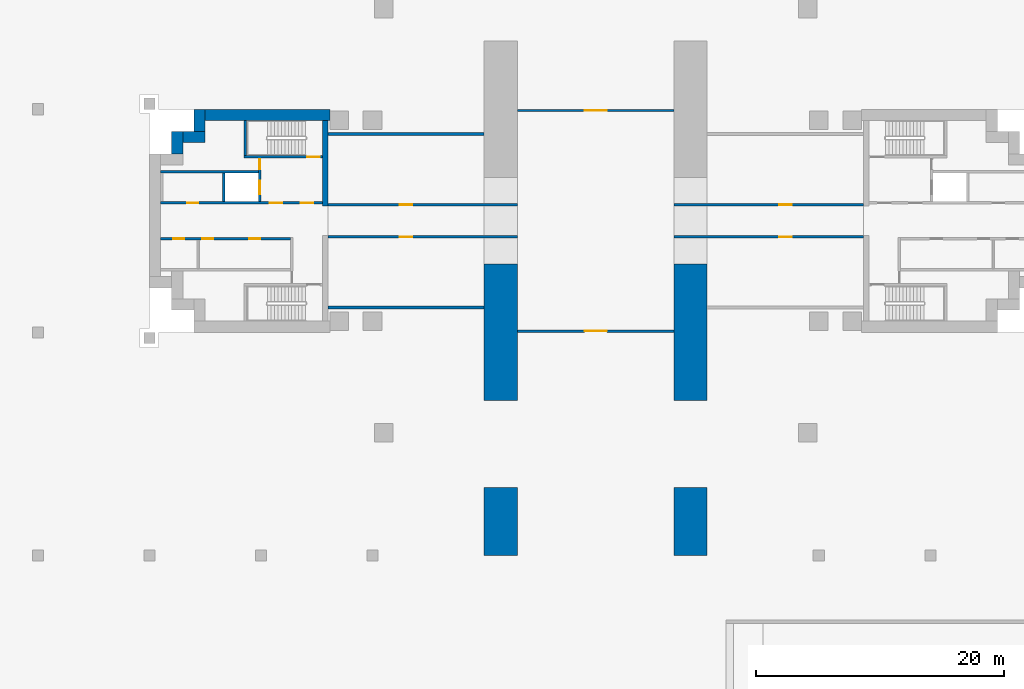
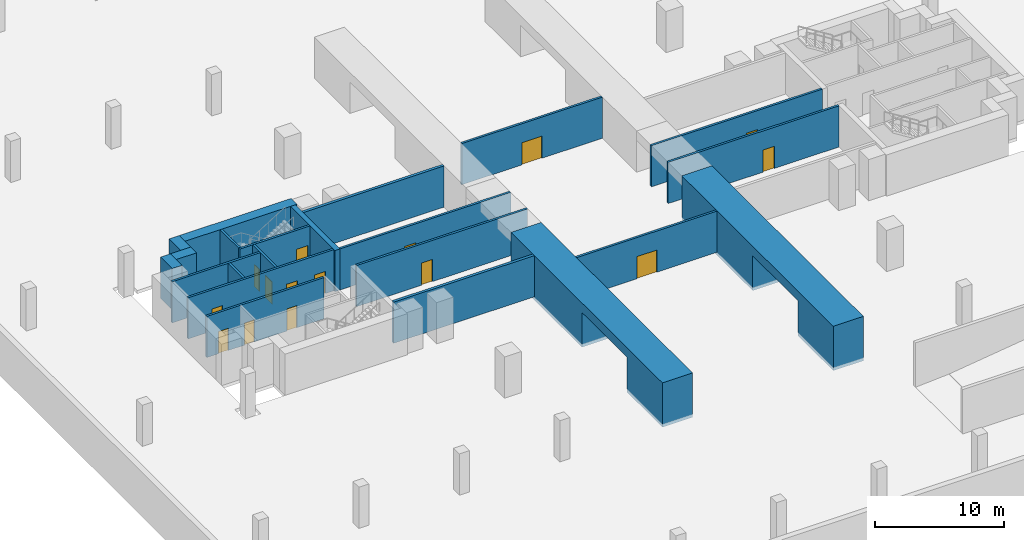
# One storey, part 4 of 8: 22 walls, 15 doors, 15 openings.
"""IFC4 building model written with IfcOpenShell, lengths in metres."""

from ifc_helpers import new_model, si_unit, direction, frame, frame_2d, origin, place, context, subcontext, project, spatial, polyline, rectangle, outline, extrude, material, layer, layer_set, material_profile, profile_set, type_object, element, fill, save


model = new_model("IFC4")

# Units and contexts
model_context = context("Model", 3, precision=1e-05, world=origin(), true_north=direction((0.0, 1.0)))
body_context = subcontext(model_context, "Body", "Model", "MODEL_VIEW")
ifc_project = project(units=[si_unit("LENGTHUNIT", "METRE"), si_unit("AREAUNIT", "SQUARE_METRE"), si_unit("VOLUMEUNIT", "CUBIC_METRE"), si_unit("PLANEANGLEUNIT", "RADIAN"), si_unit("MASSUNIT", "GRAM", prefix="KILO")], contexts=[model_context])

# Site, building, storey
site_placement = place(None, origin())
site = spatial("IfcSite", under=ifc_project, at=site_placement, CompositionType="ELEMENT")
building_placement = place(site_placement, origin())
building = spatial("IfcBuilding", under=site, at=building_placement, Name="Perihelion Cross Residences", CompositionType="ELEMENT")
storey_placement = place(building_placement, frame((0.0, 0.0, -8.699951171875)))
storey = spatial("IfcBuildingStorey", under=building, at=storey_placement, Name="B2", CompositionType="ELEMENT", Elevation=-8.699951171875)

# Walls
ifc_material_1 = material(Name="Concrete C40/50", Category="concrete")
ifc_layer_1 = layer(ifc_material_1, 0.25)
ifc_layer_set_1 = layer_set([ifc_layer_1], Name="Basement enclosure wall 250")
wall_type_1 = type_object("IfcWallType", Name="Basement enclosure wall 250", PredefinedType="SOLIDWALL", material=ifc_layer_set_1)
for number, where, z_axis, x_axis, name in (
    (1, (-9.0, 7.0, 0.0), (0.0, 0.0, 1.0), (-1.0, 0.0, 0.0), "Basement enclosure wall B2 w.encl.n"),
    (2, (-9.0, -7.0, 0.0), (0.0, 0.0, 1.0), (-1.0, 0.0, 0.0), "Basement enclosure wall B2 w.encl.s"),
):
    element("IfcWall", number, at=place(storey_placement, frame(where, z_axis=z_axis, x_axis=x_axis)), inside=storey, type_object=wall_type_1, Name=name, PredefinedType="SOLIDWALL", context=body_context, shape_type="SweptSolid", body=[
        extrude(rectangle(XDim=12.60009765625, YDim=0.25, at=frame_2d((6.300048828125, 0.0))), origin(), (0.0, 0.0, 1.0), 3.89990234375),
    ])
ifc_material_2 = material(Name="Concrete C60/75", Category="concrete")
ifc_layer_2 = layer(ifc_material_2, 0.449951171875)
ifc_layer_set_2 = layer_set([ifc_layer_2], Name="Core wall, inner 450")
wall_type_2 = type_object("IfcWallType", Name="Core wall, inner 450", PredefinedType="SHEAR", material=ifc_layer_set_2)
wall_1_placement = place(storey_placement, frame((-21.824951171875, 1.199951171875, 0.0), z_axis=(0.0, 0.0, 1.0), x_axis=(0.0, 1.0, 0.0)))
element("IfcWall", 3, at=wall_1_placement, inside=storey, type_object=wall_type_2, Name="West core core wall, inner", PredefinedType="SHEAR", context=body_context, shape_type="SweptSolid", body=[
    extrude(rectangle(XDim=6.900146484375, YDim=0.449951171875, at=frame_2d((3.4501953125, 0.0))), origin(), (0.0, 0.0, 1.0), 3.89990234375),
])
ifc_material_3 = material(Name="Concrete C60/75", Category="concrete")
ifc_layer_3 = layer(ifc_material_3, 0.89990234375)
ifc_layer_set_3 = layer_set([ifc_layer_3], Name="Core wall, outer 900")
wall_type_3 = type_object("IfcWallType", Name="Core wall, outer 900", PredefinedType="SHEAR", material=ifc_layer_set_3)
for number, where, z_axis, x_axis, name in (
    (4, (-33.75, 5.39990234375, 0.0), (0.0, 0.0, 1.0), (0.0, 1.0, 0.0), "West core core wall, outer"),
    (5, (-33.300048828125, 6.75, 0.0), (0.0, 0.0, 1.0), (1.0, 0.0, 0.0), "West core core wall, outer"),
    (6, (-31.949951171875, 7.199951171875, 0.0), (0.0, 0.0, 1.0), (0.0, 1.0, 0.0), "West core core wall, outer"),
):
    element("IfcWall", number, at=place(storey_placement, frame(where, z_axis=z_axis, x_axis=x_axis)), inside=storey, type_object=wall_type_3, Name=name, PredefinedType="SHEAR", context=body_context, shape_type="SweptSolid", body=[
        extrude(rectangle(XDim=1.800048828125, YDim=0.89990234375, at=frame_2d((0.89990234375, 0.0))), origin(), (0.0, 0.0, 1.0), 3.89990234375),
    ])
wall_2_placement = place(storey_placement, frame((-31.5, 8.550048828125, 0.0), z_axis=(0.0, 0.0, 1.0), x_axis=(1.0, 0.0, 0.0)))
element("IfcWall", 7, at=wall_2_placement, inside=storey, type_object=wall_type_3, Name="West core core wall, outer", PredefinedType="SHEAR", context=body_context, shape_type="SweptSolid", body=[
    extrude(rectangle(XDim=10.050048828125, YDim=0.89990234375, at=frame_2d((5.02490234375, 0.0))), origin(), (0.0, 0.0, 1.0), 3.89990234375),
])

# Wall, opening, door
ifc_material_4 = material(Name="Concrete block 200", Category="concrete")
ifc_layer_4 = layer(ifc_material_4, 0.199951171875)
ifc_layer_set_4 = layer_set([ifc_layer_4], Name="Parking lobby wall 200")
wall_type_4 = type_object("IfcWallType", Name="Parking lobby wall 200", PredefinedType="PARTITIONING", material=ifc_layer_set_4)
wall_3_placement = place(storey_placement, frame((6.300048828125, 1.300048828125, 0.0), z_axis=(0.0, 0.0, 1.0), x_axis=(1.0, 0.0, 0.0)))
wall_3 = element("IfcWall", 8, at=wall_3_placement, inside=storey, type_object=wall_type_4, Name="Basement partition B2 e.corr.n", PredefinedType="PARTITIONING", context=body_context, shape_type="SweptSolid", body=[
    extrude(rectangle(XDim=15.300048828125, YDim=0.199951171875, at=frame_2d((7.64990234375, 0.0))), origin(), (0.0, 0.0, 1.0), 3.89990234375),
])
opening_1_placement = place(wall_3_placement, frame((8.5, 0.0, 0.0)))
opening_1 = element("IfcOpeningElement", 9, at=opening_1_placement, cuts=wall_3, Name="Opening B2.B01", PredefinedType="OPENING", context=body_context, shape_type="SweptSolid", body=[
    extrude(rectangle(XDim=1.0, YDim=2.10009765625, at=frame_2d((0.5, 1.050048828125))), frame((0.0, 0.10986328125, 0.0), z_axis=(0.0, -1.0, 0.0), x_axis=(1.0, 0.0, 0.0)), (0.0, 0.0, 1.0), 0.219970703125),
])
ifc_material_5 = material(Name="Steel door", Category="steel")
door_type_1 = type_object("IfcDoorType", Name="Basement plant door 1000 x 2100", OperationType="SINGLE_SWING_LEFT", PredefinedType="DOOR", material=ifc_material_5)
door_1_placement = place(opening_1_placement, origin())
door_1 = element("IfcDoor", 10, at=door_1_placement, inside=storey, type_object=door_type_1, Name="Door B2 e.corr.n", OperationType="SINGLE_SWING_LEFT", OverallHeight=2.10009765625, OverallWidth=1.0, PredefinedType="DOOR", context=body_context, shape_type="SweptSolid", body=[
    extrude(rectangle(XDim=1.0, YDim=2.10009765625, at=frame_2d((0.5, 1.050048828125))), frame((0.0, 0.02490234375, 0.0), z_axis=(0.0, -1.0, 0.0), x_axis=(1.0, 0.0, 0.0)), (0.0, 0.0, 1.0), 0.050048828125),
])
fill(opening_1, door_1)

wall_4_placement = place(storey_placement, frame((6.300048828125, -1.300048828125, 0.0), z_axis=(0.0, 0.0, 1.0), x_axis=(1.0, 0.0, 0.0)))
wall_4 = element("IfcWall", 11, at=wall_4_placement, inside=storey, type_object=wall_type_4, Name="Basement partition B2 e.corr.s", PredefinedType="PARTITIONING", context=body_context, shape_type="SweptSolid", body=[
    extrude(rectangle(XDim=15.300048828125, YDim=0.199951171875, at=frame_2d((7.64990234375, 0.0))), origin(), (0.0, 0.0, 1.0), 3.89990234375),
])
opening_2_placement = place(wall_4_placement, frame((8.5, 0.0, 0.0)))
opening_2 = element("IfcOpeningElement", 12, at=opening_2_placement, cuts=wall_4, Name="Opening B2.B02", PredefinedType="OPENING", context=body_context, shape_type="SweptSolid", body=[
    extrude(rectangle(XDim=1.0, YDim=2.10009765625, at=frame_2d((0.5, 1.050048828125))), frame((0.0, 0.10986328125, 0.0), z_axis=(0.0, -1.0, 0.0), x_axis=(1.0, 0.0, 0.0)), (0.0, 0.0, 1.0), 0.219970703125),
])
door_2_placement = place(opening_2_placement, origin())
door_2 = element("IfcDoor", 13, at=door_2_placement, inside=storey, type_object=door_type_1, Name="Door B2 e.corr.s", OperationType="SINGLE_SWING_LEFT", OverallHeight=2.10009765625, OverallWidth=1.0, PredefinedType="DOOR", context=body_context, shape_type="SweptSolid", body=[
    extrude(rectangle(XDim=1.0, YDim=2.10009765625, at=frame_2d((0.5, 1.050048828125))), frame((0.0, 0.02490234375, 0.0), z_axis=(0.0, -1.0, 0.0), x_axis=(1.0, 0.0, 0.0)), (0.0, 0.0, 1.0), 0.050048828125),
])
fill(opening_2, door_2)

wall_5_placement = place(storey_placement, frame((-6.300048828125, 1.300048828125, 0.0), z_axis=(0.0, 0.0, 1.0), x_axis=(-1.0, 0.0, 0.0)))
wall_5 = element("IfcWall", 14, at=wall_5_placement, inside=storey, type_object=wall_type_4, Name="Basement partition B2 w.corr.n", PredefinedType="PARTITIONING", context=body_context, shape_type="SweptSolid", body=[
    extrude(rectangle(XDim=15.300048828125, YDim=0.199951171875, at=frame_2d((7.64990234375, 0.0))), origin(), (0.0, 0.0, 1.0), 3.89990234375),
])
opening_3_placement = place(wall_5_placement, frame((8.5, 0.0, 0.0)))
opening_3 = element("IfcOpeningElement", 15, at=opening_3_placement, cuts=wall_5, Name="Opening B2.B03", PredefinedType="OPENING", context=body_context, shape_type="SweptSolid", body=[
    extrude(rectangle(XDim=1.0, YDim=2.10009765625, at=frame_2d((0.5, 1.050048828125))), frame((0.0, 0.10986328125, 0.0), z_axis=(0.0, -1.0, 0.0), x_axis=(1.0, 0.0, 0.0)), (0.0, 0.0, 1.0), 0.219970703125),
])
door_3_placement = place(opening_3_placement, origin())
door_3 = element("IfcDoor", 16, at=door_3_placement, inside=storey, type_object=door_type_1, Name="Door B2 w.corr.n", OperationType="SINGLE_SWING_LEFT", OverallHeight=2.10009765625, OverallWidth=1.0, PredefinedType="DOOR", context=body_context, shape_type="SweptSolid", body=[
    extrude(rectangle(XDim=1.0, YDim=2.10009765625, at=frame_2d((0.5, 1.050048828125))), frame((0.0, 0.02490234375, 0.0), z_axis=(0.0, -1.0, 0.0), x_axis=(1.0, 0.0, 0.0)), (0.0, 0.0, 1.0), 0.050048828125),
])
fill(opening_3, door_3)

wall_6_placement = place(storey_placement, frame((-6.300048828125, -1.300048828125, 0.0), z_axis=(0.0, 0.0, 1.0), x_axis=(-1.0, 0.0, 0.0)))
wall_6 = element("IfcWall", 17, at=wall_6_placement, inside=storey, type_object=wall_type_4, Name="Basement partition B2 w.corr.s", PredefinedType="PARTITIONING", context=body_context, shape_type="SweptSolid", body=[
    extrude(rectangle(XDim=15.300048828125, YDim=0.199951171875, at=frame_2d((7.64990234375, 0.0))), origin(), (0.0, 0.0, 1.0), 3.89990234375),
])
opening_4_placement = place(wall_6_placement, frame((8.5, 0.0, 0.0)))
opening_4 = element("IfcOpeningElement", 18, at=opening_4_placement, cuts=wall_6, Name="Opening B2.B04", PredefinedType="OPENING", context=body_context, shape_type="SweptSolid", body=[
    extrude(rectangle(XDim=1.0, YDim=2.10009765625, at=frame_2d((0.5, 1.050048828125))), frame((0.0, 0.10986328125, 0.0), z_axis=(0.0, -1.0, 0.0), x_axis=(1.0, 0.0, 0.0)), (0.0, 0.0, 1.0), 0.219970703125),
])
door_4_placement = place(opening_4_placement, origin())
door_4 = element("IfcDoor", 19, at=door_4_placement, inside=storey, type_object=door_type_1, Name="Door B2 w.corr.s", OperationType="SINGLE_SWING_LEFT", OverallHeight=2.10009765625, OverallWidth=1.0, PredefinedType="DOOR", context=body_context, shape_type="SweptSolid", body=[
    extrude(rectangle(XDim=1.0, YDim=2.10009765625, at=frame_2d((0.5, 1.050048828125))), frame((0.0, 0.02490234375, 0.0), z_axis=(0.0, -1.0, 0.0), x_axis=(1.0, 0.0, 0.0)), (0.0, 0.0, 1.0), 0.050048828125),
])
fill(opening_4, door_4)

wall_7_placement = place(storey_placement, frame((-6.300048828125, 8.89990234375, 0.0), z_axis=(0.0, 0.0, 1.0), x_axis=(1.0, 0.0, 0.0)))
wall_7 = element("IfcWall", 20, at=wall_7_placement, inside=storey, type_object=wall_type_4, Name="Basement partition B2 hub.n", PredefinedType="PARTITIONING", context=body_context, shape_type="SweptSolid", body=[
    extrude(rectangle(XDim=12.60009765625, YDim=0.199951171875, at=frame_2d((6.300048828125, 0.0))), origin(), (0.0, 0.0, 1.0), 3.89990234375),
])
opening_5_placement = place(wall_7_placement, frame((5.39990234375, 0.0, 0.0)))
opening_5 = element("IfcOpeningElement", 21, at=opening_5_placement, cuts=wall_7, Name="Opening B2.B05", PredefinedType="OPENING", context=body_context, shape_type="SweptSolid", body=[
    extrude(rectangle(XDim=1.800048828125, YDim=2.10009765625, at=frame_2d((0.89990234375, 1.050048828125))), frame((0.0, 0.10986328125, 0.0), z_axis=(0.0, -1.0, 0.0), x_axis=(1.0, 0.0, 0.0)), (0.0, 0.0, 1.0), 0.219970703125),
])
ifc_material_6 = material(Name="Steel door", Category="steel")
door_type_2 = type_object("IfcDoorType", Name="Lobby door 1800 x 2100", OperationType="DOUBLE_DOOR_SINGLE_SWING", PredefinedType="DOOR", material=ifc_material_6)
door_5_placement = place(opening_5_placement, origin())
door_5 = element("IfcDoor", 22, at=door_5_placement, inside=storey, type_object=door_type_2, Name="Door B2 hub.n", OperationType="SINGLE_SWING_LEFT", OverallHeight=2.10009765625, OverallWidth=1.800048828125, PredefinedType="DOOR", context=body_context, shape_type="SweptSolid", body=[
    extrude(rectangle(XDim=1.800048828125, YDim=2.10009765625, at=frame_2d((0.89990234375, 1.050048828125))), frame((0.0, 0.02490234375, 0.0), z_axis=(0.0, -1.0, 0.0), x_axis=(1.0, 0.0, 0.0)), (0.0, 0.0, 1.0), 0.050048828125),
])
fill(opening_5, door_5)

wall_8_placement = place(storey_placement, frame((-6.300048828125, -8.89990234375, 0.0), z_axis=(0.0, 0.0, 1.0), x_axis=(1.0, 0.0, 0.0)))
wall_8 = element("IfcWall", 23, at=wall_8_placement, inside=storey, type_object=wall_type_4, Name="Basement partition B2 hub.s", PredefinedType="PARTITIONING", context=body_context, shape_type="SweptSolid", body=[
    extrude(rectangle(XDim=12.60009765625, YDim=0.199951171875, at=frame_2d((6.300048828125, 0.0))), origin(), (0.0, 0.0, 1.0), 3.89990234375),
])
opening_6_placement = place(wall_8_placement, frame((5.39990234375, 0.0, 0.0)))
opening_6 = element("IfcOpeningElement", 24, at=opening_6_placement, cuts=wall_8, Name="Opening B2.B06", PredefinedType="OPENING", context=body_context, shape_type="SweptSolid", body=[
    extrude(rectangle(XDim=1.800048828125, YDim=2.10009765625, at=frame_2d((0.89990234375, 1.050048828125))), frame((0.0, 0.10986328125, 0.0), z_axis=(0.0, -1.0, 0.0), x_axis=(1.0, 0.0, 0.0)), (0.0, 0.0, 1.0), 0.219970703125),
])
door_6_placement = place(opening_6_placement, origin())
door_6 = element("IfcDoor", 25, at=door_6_placement, inside=storey, type_object=door_type_2, Name="Door B2 hub.s", OperationType="SINGLE_SWING_LEFT", OverallHeight=2.10009765625, OverallWidth=1.800048828125, PredefinedType="DOOR", context=body_context, shape_type="SweptSolid", body=[
    extrude(rectangle(XDim=1.800048828125, YDim=2.10009765625, at=frame_2d((0.89990234375, 1.050048828125))), frame((0.0, 0.02490234375, 0.0), z_axis=(0.0, -1.0, 0.0), x_axis=(1.0, 0.0, 0.0)), (0.0, 0.0, 1.0), 0.050048828125),
])
fill(opening_6, door_6)

# Walls
ifc_material_7 = material(Name="Concrete C60/75", Category="concrete")
ifc_material_profile = material_profile(ifc_material_7, outline(polyline([(0.0, 0.0), (5.5, 0.0), (5.5, 3.300048828125), (12.5, 3.300048828125), (12.5, 0.0), (23.5, 0.0), (23.5, 4.199951171875), (0.0, 4.199951171875), (0.0, 0.0)])), Name="Pier wall")
ifc_profile_set = profile_set([ifc_material_profile], Name="Concrete C60/75")
wall_type_5 = type_object("IfcWallType", Name="Pier wall 2700 with 1 lane openings 23500 long 4200 high concrete C60/75 hand A", PredefinedType="SOLIDWALL", material=ifc_profile_set)
for number, where, z_axis, x_axis, name in (
    (26, (6.300048828125, -27.0, -0.300048828125), (1.0, 0.0, 0.0), (0.0, 1.0, 0.0), "Shear wall SW7 B2 pier east south"),
    (27, (-9.0, -27.0, -0.300048828125), (1.0, 0.0, 0.0), (0.0, 1.0, 0.0), "Shear wall SW7 B2 pier west south"),
):
    element("IfcWall", number, at=place(storey_placement, frame(where, z_axis=z_axis, x_axis=x_axis)), inside=storey, type_object=wall_type_5, Name=name, PredefinedType="SOLIDWALL", context=body_context, shape_type="SweptSolid", body=[
        extrude(outline(polyline([(0.0, 0.0), (5.5, 0.0), (5.5, 3.300048828125), (12.5, 3.300048828125), (12.5, 0.0), (23.5, 0.0), (23.5, 4.199951171875), (0.0, 4.199951171875), (0.0, 0.0)])), origin(), (0.0, 0.0, 1.0), 2.699951171875),
    ])

# Wall, openings, doors
ifc_material_8 = material(Name="Concrete C50/60", Category="concrete")
ifc_layer_5 = layer(ifc_material_8, 0.199951171875)
ifc_layer_set_5 = layer_set([ifc_layer_5], Name="Shaft wall 200")
wall_type_6 = type_object("IfcWallType", Name="Shaft wall 200", PredefinedType="SOLIDWALL", material=ifc_layer_set_5)
wall_9_placement = place(storey_placement, frame((-35.10009765625, 1.449951171875, 0.0), z_axis=(0.0, 0.0, 1.0), x_axis=(1.0, 0.0, 0.0)))
wall_9 = element("IfcWall", 28, at=wall_9_placement, inside=storey, type_object=wall_type_6, Name="West core shaft wall", PredefinedType="SOLIDWALL", context=body_context, shape_type="SweptSolid", body=[
    extrude(rectangle(XDim=13.050048828125, YDim=0.199951171875, at=frame_2d((6.52490234375, 0.0))), origin(), (0.0, 0.0, 1.0), 3.89990234375),
])
opening_7_placement = place(wall_9_placement, frame((11.300048828125, 0.0, 0.0)))
opening_7 = element("IfcOpeningElement", 29, at=opening_7_placement, cuts=wall_9, Name="Opening B2.C15", PredefinedType="OPENING", context=body_context, shape_type="SweptSolid", body=[
    extrude(rectangle(XDim=1.0, YDim=2.10009765625, at=frame_2d((0.5, 1.050048828125))), frame((0.0, 0.10986328125, 0.0), z_axis=(0.0, -1.0, 0.0), x_axis=(1.0, 0.0, 0.0)), (0.0, 0.0, 1.0), 0.219970703125),
])
opening_8_placement = place(wall_9_placement, frame((8.800048828125, 0.0, 0.0)))
opening_8 = element("IfcOpeningElement", 30, at=opening_8_placement, cuts=wall_9, Name="Opening B2.C17", PredefinedType="OPENING", context=body_context, shape_type="SweptSolid", body=[
    extrude(rectangle(XDim=1.0, YDim=2.10009765625, at=frame_2d((0.5, 1.050048828125))), frame((0.0, 0.10986328125, 0.0), z_axis=(0.0, -1.0, 0.0), x_axis=(1.0, 0.0, 0.0)), (0.0, 0.0, 1.0), 0.219970703125),
])
opening_9_placement = place(wall_9_placement, frame((2.14990234375, 0.0, 0.0)))
opening_9 = element("IfcOpeningElement", 31, at=opening_9_placement, cuts=wall_9, Name="Opening B2.C21", PredefinedType="OPENING", context=body_context, shape_type="SweptSolid", body=[
    extrude(rectangle(XDim=0.89990234375, YDim=2.10009765625, at=frame_2d((0.449951171875, 1.050048828125))), frame((0.0, 0.10986328125, 0.0), z_axis=(0.0, -1.0, 0.0), x_axis=(1.0, 0.0, 0.0)), (0.0, 0.0, 1.0), 0.219970703125),
])
ifc_material_9 = material(Name="Steel, powder coated", Category="steel")
door_type_3 = type_object("IfcDoorType", Name="Lobby door 1000", OperationType="SINGLE_SWING_LEFT", PredefinedType="DOOR", material=ifc_material_9)
door_7_placement = place(opening_7_placement, origin())
door_7 = element("IfcDoor", 32, at=door_7_placement, inside=storey, type_object=door_type_3, Name="West core firefighting lobby door", OperationType="SINGLE_SWING_LEFT", OverallHeight=2.10009765625, OverallWidth=1.0, PredefinedType="DOOR", context=body_context, shape_type="SweptSolid", body=[
    extrude(rectangle(XDim=1.0, YDim=2.10009765625, at=frame_2d((0.5, 1.050048828125))), frame((0.0, 0.02490234375, 0.0), z_axis=(0.0, -1.0, 0.0), x_axis=(1.0, 0.0, 0.0)), (0.0, 0.0, 1.0), 0.050048828125),
])
fill(opening_7, door_7)
door_8_placement = place(opening_8_placement, origin())
door_8 = element("IfcDoor", 33, at=door_8_placement, inside=storey, type_object=door_type_3, Name="West core firefighting lobby door", OperationType="SINGLE_SWING_LEFT", OverallHeight=2.10009765625, OverallWidth=1.0, PredefinedType="DOOR", context=body_context, shape_type="SweptSolid", body=[
    extrude(rectangle(XDim=1.0, YDim=2.10009765625, at=frame_2d((0.5, 1.050048828125))), frame((0.0, 0.02490234375, 0.0), z_axis=(0.0, -1.0, 0.0), x_axis=(1.0, 0.0, 0.0)), (0.0, 0.0, 1.0), 0.050048828125),
])
fill(opening_8, door_8)
ifc_material_10 = material(Name="Steel, powder coated", Category="steel")
door_type_4 = type_object("IfcDoorType", Name="Service room door 900", OperationType="SINGLE_SWING_LEFT", PredefinedType="DOOR", material=ifc_material_10)
door_9_placement = place(opening_9_placement, origin())
door_9 = element("IfcDoor", 34, at=door_9_placement, inside=storey, type_object=door_type_4, Name="West core service room door", OperationType="SINGLE_SWING_LEFT", OverallHeight=2.10009765625, OverallWidth=0.89990234375, PredefinedType="DOOR", context=body_context, shape_type="SweptSolid", body=[
    extrude(rectangle(XDim=0.89990234375, YDim=2.10009765625, at=frame_2d((0.449951171875, 1.050048828125))), frame((0.0, 0.02490234375, 0.0), z_axis=(0.0, -1.0, 0.0), x_axis=(1.0, 0.0, 0.0)), (0.0, 0.0, 1.0), 0.050048828125),
])
fill(opening_9, door_9)

wall_10_placement = place(storey_placement, frame((-35.10009765625, -1.449951171875, 0.0), z_axis=(0.0, 0.0, 1.0), x_axis=(1.0, 0.0, 0.0)))
wall_10 = element("IfcWall", 35, at=wall_10_placement, inside=storey, type_object=wall_type_6, Name="West core shaft wall", PredefinedType="SOLIDWALL", context=body_context, shape_type="SweptSolid", body=[
    extrude(rectangle(XDim=10.5, YDim=0.199951171875, at=frame_2d((5.25, 0.0))), origin(), (0.0, 0.0, 1.0), 3.89990234375),
])
opening_10_placement = place(wall_10_placement, frame((7.14990234375, 0.0, 0.0)))
opening_10 = element("IfcOpeningElement", 36, at=opening_10_placement, cuts=wall_10, Name="Opening B2.C19", PredefinedType="OPENING", context=body_context, shape_type="SweptSolid", body=[
    extrude(rectangle(XDim=0.89990234375, YDim=2.10009765625, at=frame_2d((0.449951171875, 1.050048828125))), frame((0.0, 0.10986328125, 0.0), z_axis=(0.0, -1.0, 0.0), x_axis=(1.0, 0.0, 0.0)), (0.0, 0.0, 1.0), 0.219970703125),
])
opening_11_placement = place(wall_10_placement, frame((3.35009765625, 0.0, 0.0)))
opening_11 = element("IfcOpeningElement", 37, at=opening_11_placement, cuts=wall_10, Name="Opening B2.C20", PredefinedType="OPENING", context=body_context, shape_type="SweptSolid", body=[
    extrude(rectangle(XDim=0.89990234375, YDim=2.10009765625, at=frame_2d((0.449951171875, 1.050048828125))), frame((0.0, 0.10986328125, 0.0), z_axis=(0.0, -1.0, 0.0), x_axis=(1.0, 0.0, 0.0)), (0.0, 0.0, 1.0), 0.219970703125),
])
opening_12_placement = place(wall_10_placement, frame((1.02490234375, 0.0, 0.0)))
opening_12 = element("IfcOpeningElement", 38, at=opening_12_placement, cuts=wall_10, Name="Opening B2.C22", PredefinedType="OPENING", context=body_context, shape_type="SweptSolid", body=[
    extrude(rectangle(XDim=0.89990234375, YDim=2.10009765625, at=frame_2d((0.449951171875, 1.050048828125))), frame((0.0, 0.10986328125, 0.0), z_axis=(0.0, -1.0, 0.0), x_axis=(1.0, 0.0, 0.0)), (0.0, 0.0, 1.0), 0.219970703125),
])
door_10_placement = place(opening_10_placement, origin())
door_10 = element("IfcDoor", 39, at=door_10_placement, inside=storey, type_object=door_type_4, Name="West core service room door", OperationType="SINGLE_SWING_LEFT", OverallHeight=2.10009765625, OverallWidth=0.89990234375, PredefinedType="DOOR", context=body_context, shape_type="SweptSolid", body=[
    extrude(rectangle(XDim=0.89990234375, YDim=2.10009765625, at=frame_2d((0.449951171875, 1.050048828125))), frame((0.0, 0.02490234375, 0.0), z_axis=(0.0, -1.0, 0.0), x_axis=(1.0, 0.0, 0.0)), (0.0, 0.0, 1.0), 0.050048828125),
])
fill(opening_10, door_10)
door_11_placement = place(opening_11_placement, origin())
door_11 = element("IfcDoor", 40, at=door_11_placement, inside=storey, type_object=door_type_4, Name="West core service room door", OperationType="SINGLE_SWING_LEFT", OverallHeight=2.10009765625, OverallWidth=0.89990234375, PredefinedType="DOOR", context=body_context, shape_type="SweptSolid", body=[
    extrude(rectangle(XDim=0.89990234375, YDim=2.10009765625, at=frame_2d((0.449951171875, 1.050048828125))), frame((0.0, 0.02490234375, 0.0), z_axis=(0.0, -1.0, 0.0), x_axis=(1.0, 0.0, 0.0)), (0.0, 0.0, 1.0), 0.050048828125),
])
fill(opening_11, door_11)
door_12_placement = place(opening_12_placement, origin())
door_12 = element("IfcDoor", 41, at=door_12_placement, inside=storey, type_object=door_type_4, Name="West core service room door", OperationType="SINGLE_SWING_LEFT", OverallHeight=2.10009765625, OverallWidth=0.89990234375, PredefinedType="DOOR", context=body_context, shape_type="SweptSolid", body=[
    extrude(rectangle(XDim=0.89990234375, YDim=2.10009765625, at=frame_2d((0.449951171875, 1.050048828125))), frame((0.0, 0.02490234375, 0.0), z_axis=(0.0, -1.0, 0.0), x_axis=(1.0, 0.0, 0.0)), (0.0, 0.0, 1.0), 0.050048828125),
])
fill(opening_12, door_12)

# Wall
wall_11_placement = place(storey_placement, frame((-35.10009765625, 3.949951171875, 0.0), z_axis=(0.0, 0.0, 1.0), x_axis=(1.0, 0.0, 0.0)))
element("IfcWall", 42, at=wall_11_placement, inside=storey, type_object=wall_type_6, Name="West core shaft wall", PredefinedType="SOLIDWALL", context=body_context, shape_type="SweptSolid", body=[
    extrude(rectangle(XDim=7.900146484375, YDim=0.199951171875, at=frame_2d((3.9501953125, 0.0))), origin(), (0.0, 0.0, 1.0), 3.89990234375),
])

# Wall, openings, doors
wall_12_placement = place(storey_placement, frame((-27.10009765625, 1.550048828125, 0.0), z_axis=(0.0, 0.0, 1.0), x_axis=(0.0, 1.0, 0.0)))
wall_12 = element("IfcWall", 43, at=wall_12_placement, inside=storey, type_object=wall_type_6, Name="West core shaft wall", PredefinedType="SOLIDWALL", context=body_context, shape_type="SweptSolid", body=[
    extrude(rectangle(XDim=3.5, YDim=0.199951171875, at=frame_2d((1.75, 0.0))), origin(), (0.0, 0.0, 1.0), 3.89990234375),
])
opening_13_placement = place(wall_12_placement, frame((0.60009765625, 0.0, 0.0)))
opening_13 = element("IfcOpeningElement", 44, at=opening_13_placement, cuts=wall_12, Name="Opening B2.C12", PredefinedType="OPENING", context=body_context, shape_type="SweptSolid", body=[
    extrude(rectangle(XDim=1.10009765625, YDim=2.10009765625, at=frame_2d((0.550048828125, 1.050048828125))), frame((0.0, 0.10986328125, 0.0), z_axis=(0.0, -1.0, 0.0), x_axis=(1.0, 0.0, 0.0)), (0.0, 0.0, 1.0), 0.219970703125),
])
opening_14_placement = place(wall_12_placement, frame((2.60009765625, 0.0, 0.0)))
opening_14 = element("IfcOpeningElement", 45, at=opening_14_placement, cuts=wall_12, Name="Opening B2.C18", PredefinedType="OPENING", context=body_context, shape_type="SweptSolid", body=[
    extrude(rectangle(XDim=0.800048828125, YDim=2.10009765625, at=frame_2d((0.39990234375, 1.050048828125))), frame((0.0, 0.10986328125, 0.0), z_axis=(0.0, -1.0, 0.0), x_axis=(1.0, 0.0, 0.0)), (0.0, 0.0, 1.0), 0.219970703125),
])
ifc_material_11 = material(Name="Stainless steel", Category="steel")
door_type_5 = type_object("IfcDoorType", Name="Landing door, firefighting lift 1100", OperationType="DOUBLE_DOOR_SLIDING", PredefinedType="DOOR", material=ifc_material_11)
door_13_placement = place(opening_13_placement, origin())
door_13 = element("IfcDoor", 46, at=door_13_placement, inside=storey, type_object=door_type_5, Name="Landing door, West core firefighting and service lift", OperationType="DOUBLE_DOOR_SLIDING", OverallHeight=2.10009765625, OverallWidth=1.10009765625, PredefinedType="DOOR", context=body_context, shape_type="SweptSolid", body=[
    extrude(rectangle(XDim=1.10009765625, YDim=2.10009765625, at=frame_2d((0.550048828125, 1.050048828125))), frame((0.0, 0.02490234375, 0.0), z_axis=(0.0, -1.0, 0.0), x_axis=(1.0, 0.0, 0.0)), (0.0, 0.0, 1.0), 0.050048828125),
])
fill(opening_13, door_13)
ifc_material_12 = material(Name="Steel, powder coated", Category="steel")
door_type_6 = type_object("IfcDoorType", Name="Riser door 800", OperationType="SINGLE_SWING_LEFT", PredefinedType="DOOR", material=ifc_material_12)
door_14_placement = place(opening_14_placement, origin())
door_14 = element("IfcDoor", 47, at=door_14_placement, inside=storey, type_object=door_type_6, Name="West core riser door", OperationType="SINGLE_SWING_LEFT", OverallHeight=2.10009765625, OverallWidth=0.800048828125, PredefinedType="DOOR", context=body_context, shape_type="SweptSolid", body=[
    extrude(rectangle(XDim=0.800048828125, YDim=2.10009765625, at=frame_2d((0.39990234375, 1.050048828125))), frame((0.0, 0.02490234375, 0.0), z_axis=(0.0, -1.0, 0.0), x_axis=(1.0, 0.0, 0.0)), (0.0, 0.0, 1.0), 0.050048828125),
])
fill(opening_14, door_14)

# Wall
wall_13_placement = place(storey_placement, frame((-30.0, 1.550048828125, 0.0), z_axis=(0.0, 0.0, 1.0), x_axis=(0.0, 1.0, 0.0)))
element("IfcWall", 48, at=wall_13_placement, inside=storey, type_object=wall_type_6, Name="West core shaft wall", PredefinedType="SOLIDWALL", context=body_context, shape_type="SweptSolid", body=[
    extrude(rectangle(XDim=2.300048828125, YDim=0.199951171875, at=frame_2d((1.14990234375, 0.0))), origin(), (0.0, 0.0, 1.0), 3.89990234375),
])

# Wall, opening, door
ifc_material_13 = material(Name="Concrete C50/60", Category="concrete")
ifc_layer_6 = layer(ifc_material_13, 0.199951171875)
ifc_layer_set_6 = layer_set([ifc_layer_6], Name="Stair wall 200")
wall_type_7 = type_object("IfcWallType", Name="Stair wall 200", PredefinedType="SOLIDWALL", material=ifc_layer_set_6)
wall_14_placement = place(storey_placement, frame((-28.35009765625, 5.14990234375, 0.0), z_axis=(0.0, 0.0, 1.0), x_axis=(1.0, 0.0, 0.0)))
wall_14 = element("IfcWall", 49, at=wall_14_placement, inside=storey, type_object=wall_type_7, Name="West core stair wall", PredefinedType="SOLIDWALL", context=body_context, shape_type="SweptSolid", body=[
    extrude(rectangle(XDim=6.300048828125, YDim=0.199951171875, at=frame_2d((3.14990234375, 0.0))), origin(), (0.0, 0.0, 1.0), 3.89990234375),
])
opening_15_placement = place(wall_14_placement, frame((5.10009765625, 0.0, 0.0)))
opening_15 = element("IfcOpeningElement", 50, at=opening_15_placement, cuts=wall_14, Name="Opening B2.C14", PredefinedType="OPENING", context=body_context, shape_type="SweptSolid", body=[
    extrude(rectangle(XDim=1.0, YDim=2.10009765625, at=frame_2d((0.5, 1.050048828125))), frame((0.0, 0.10986328125, 0.0), z_axis=(0.0, -1.0, 0.0), x_axis=(1.0, 0.0, 0.0)), (0.0, 0.0, 1.0), 0.219970703125),
])
ifc_material_14 = material(Name="Steel, powder coated", Category="steel")
door_type_7 = type_object("IfcDoorType", Name="Stair door 1000", OperationType="SINGLE_SWING_LEFT", PredefinedType="DOOR", material=ifc_material_14)
door_15_placement = place(opening_15_placement, origin())
door_15 = element("IfcDoor", 51, at=door_15_placement, inside=storey, type_object=door_type_7, Name="West core stair door", OperationType="SINGLE_SWING_LEFT", OverallHeight=2.10009765625, OverallWidth=1.0, PredefinedType="DOOR", context=body_context, shape_type="SweptSolid", body=[
    extrude(rectangle(XDim=1.0, YDim=2.10009765625, at=frame_2d((0.5, 1.050048828125))), frame((0.0, 0.02490234375, 0.0), z_axis=(0.0, -1.0, 0.0), x_axis=(1.0, 0.0, 0.0)), (0.0, 0.0, 1.0), 0.050048828125),
])
fill(opening_15, door_15)

# Wall
wall_15_placement = place(storey_placement, frame((-28.25, 5.25, 0.0), z_axis=(0.0, 0.0, 1.0), x_axis=(0.0, 1.0, 0.0)))
element("IfcWall", 52, at=wall_15_placement, inside=storey, type_object=wall_type_7, Name="West core stair wall", PredefinedType="SOLIDWALL", context=body_context, shape_type="SweptSolid", body=[
    extrude(rectangle(XDim=2.85009765625, YDim=0.199951171875, at=frame_2d((1.425048828125, 0.0))), origin(), (0.0, 0.0, 1.0), 3.89990234375),
])

save(model, "model.ifc")
